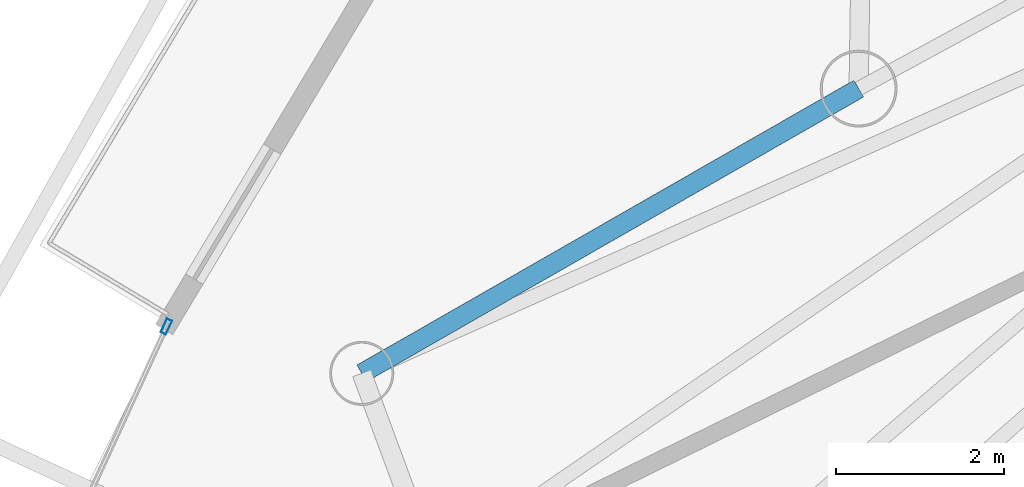
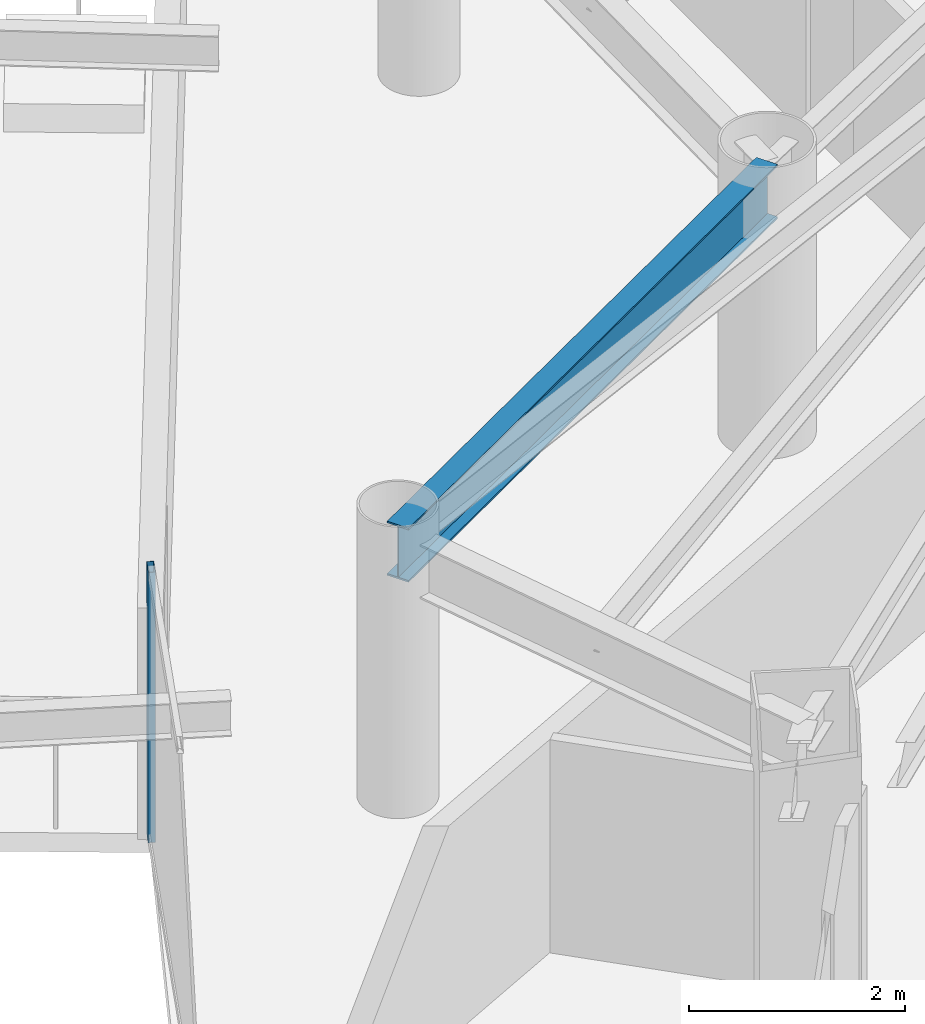
# One storey, part 10 of 35: 1 beam, 1 member, 1 element without a shape of its own.
"""IFC4 building model written with IfcOpenShell, lengths in metres."""

import ifcopenshell
import ifcopenshell.guid

model = None  # the IFC model being written
_history = None  # IfcOwnerHistory: only IFC2X3 demands one
_inside = {}  # id of a spatial element -> (the spatial element, [elements in it])
_under = {}  # id of a project, library or spatial element -> (it, [spatial elements below it])
_declared = {}  # id of a project -> (the project, [libraries it declares])
_typed = {}  # id of a type object -> (the type object, [elements of that type])
_made_of = {}  # id of a material, layer set ... -> (it, [elements and type objects made of it])


def new_model(schema):
    """Start an empty IFC model of exactly this schema.

    Asked for "IFC4X3", IfcOpenShell would pick the latest addendum, in which some entities
    have other attributes; the version numbers below select the first issue.
    IFC2X3 requires an IfcOwnerHistory on every rooted entity: one is made here for all.
    """
    global model, _history
    if schema == "IFC4X3":
        model = ifcopenshell.file(schema_version=(4, 3, 0, 0))
    else:
        model = ifcopenshell.file(schema=schema)
    _inside.clear()
    _under.clear()
    _declared.clear()
    _typed.clear()
    _made_of.clear()
    _history = None
    if model.schema == "IFC2X3":
        org = make("IfcOrganization", Name="unknown")
        user = make(
            "IfcPersonAndOrganization",
            ThePerson=make("IfcPerson", FamilyName="unknown"),
            TheOrganization=org,
        )
        app = make(
            "IfcApplication",
            ApplicationDeveloper=org,
            Version="unknown",
            ApplicationFullName="unknown",
            ApplicationIdentifier="unknown",
        )
        _history = make(
            "IfcOwnerHistory",
            OwningUser=user,
            OwningApplication=app,
            ChangeAction="ADDED",
            CreationDate=0,
        )
    return model


def make(cls, **values):
    """One entity of the class cls with the attributes given. An attribute that is None is left unset."""
    return model.create_entity(
        cls, **{name: value for name, value in values.items() if value is not None}
    )


def rooted(cls, **values):
    """An entity with a GlobalId (a new one), such as an element, a storey or a relation."""
    return make(cls, GlobalId=ifcopenshell.guid.new(), OwnerHistory=_history, **values)


def si_unit(unit_type, name, prefix=None):
    """IfcSIUnit, for example si_unit("LENGTHUNIT", "METRE", prefix="MILLI")."""
    return make("IfcSIUnit", UnitType=unit_type, Prefix=prefix, Name=name)


def assignment(units):
    """IfcUnitAssignment: the units of a project."""
    return None if units is None else make("IfcUnitAssignment", Units=units)


def point(xyz):
    """IfcCartesianPoint."""
    return None if xyz is None else make("IfcCartesianPoint", Coordinates=xyz)


def direction(xyz):
    """IfcDirection."""
    return None if xyz is None else make("IfcDirection", DirectionRatios=xyz)


def frame(location, z_axis=None, x_axis=None):
    """IfcAxis2Placement3D, a coordinate frame: its origin and axes. An axis left out is left unset."""
    return make(
        "IfcAxis2Placement3D",
        Location=point(location),
        Axis=direction(z_axis),
        RefDirection=direction(x_axis),
    )


def frame_2d(location, x_axis=None):
    """IfcAxis2Placement2D, a coordinate frame in the plane: its origin and x axis."""
    return make(
        "IfcAxis2Placement2D", Location=point(location), RefDirection=direction(x_axis)
    )


def origin():
    """The frame at (0, 0, 0) with its axes left unset."""
    return frame((0.0, 0.0, 0.0))


def origin_2d():
    """The frame at (0, 0) in the plane with its x axis left unset."""
    return frame_2d((0.0, 0.0))


def place(relative_to, where):
    """IfcLocalPlacement: puts the frame where relative to a parent placement (None: the world)."""
    return make(
        "IfcLocalPlacement", PlacementRelTo=relative_to, RelativePlacement=where
    )


def context(
    kind, dimensions, precision=None, world=None, true_north=None, identifier=None
):
    """IfcGeometricRepresentationContext, for example the 3D "Model" context."""
    return make(
        "IfcGeometricRepresentationContext",
        ContextIdentifier=identifier,
        ContextType=kind,
        CoordinateSpaceDimension=dimensions,
        Precision=precision,
        WorldCoordinateSystem=world,
        TrueNorth=true_north,
    )


def subcontext(parent, identifier, kind, view, scale=None):
    """IfcGeometricRepresentationSubContext, for example "Body" below "Model"."""
    return make(
        "IfcGeometricRepresentationSubContext",
        ContextIdentifier=identifier,
        ContextType=kind,
        ParentContext=parent,
        TargetScale=scale,
        TargetView=view,
    )


def project(units=None, contexts=None):
    """IfcProject with its units and contexts."""
    return rooted(
        "IfcProject",
        Name="project",
        RepresentationContexts=contexts,
        UnitsInContext=assignment(units),
    )


def spatial(cls, under=None, at=None, **own):
    """A site, building, storey or space (cls), placed at a placement, below another one or the project."""
    s = rooted(cls, ObjectPlacement=at, **own)
    if under is not None:
        _under.setdefault(under.id(), (under, []))[1].append(s)
    return s


def profile(cls, at=None, kind="AREA", **sizes):
    """A parametric profile (cls). Its sizes go by their IFC names, for example OverallWidth=200.0."""
    return make(cls, ProfileType=kind, Position=at, **sizes)


def hollow_rectangle(**sizes):
    """IfcRectangleHollowProfileDef."""
    return profile("IfcRectangleHollowProfileDef", **sizes)


def i_section(**sizes):
    """IfcIShapeProfileDef."""
    return profile("IfcIShapeProfileDef", **sizes)


def extrude(swept, where, along, depth):
    """IfcExtrudedAreaSolid: the profile swept, set in the frame where, extruded along a direction by depth."""
    return make(
        "IfcExtrudedAreaSolid",
        SweptArea=swept,
        Position=where,
        ExtrudedDirection=direction(along),
        Depth=depth,
    )


def shape(context_of_items, identifier, shape_type, items):
    """IfcShapeRepresentation: the items that make up one representation, for example the "Body"."""
    return make(
        "IfcShapeRepresentation",
        ContextOfItems=context_of_items,
        RepresentationIdentifier=identifier,
        RepresentationType=shape_type,
        Items=items,
    )


def material(Name=None, Category=None):
    """IfcMaterial."""
    return make("IfcMaterial", Name=Name, Category=Category)


def layer(
    of_material, thickness, ventilated=None, Name=None, Category=None, Priority=None
):
    """IfcMaterialLayer: one layer of a wall or slab, of a material (None: an air gap)."""
    return make(
        "IfcMaterialLayer",
        Material=of_material,
        LayerThickness=thickness,
        IsVentilated=ventilated,
        Name=Name,
        Category=Category,
        Priority=Priority,
    )


def layer_set(layers, Name=None):
    """IfcMaterialLayerSet."""
    return make("IfcMaterialLayerSet", MaterialLayers=layers, LayerSetName=Name)


def material_profile(
    of_material, cross_section, Name=None, Category=None, Priority=None
):
    """IfcMaterialProfile: a cross section and its material."""
    return make(
        "IfcMaterialProfile",
        Name=Name,
        Material=of_material,
        Profile=cross_section,
        Priority=Priority,
        Category=Category,
    )


def profile_set(profiles, Name=None, composite=None):
    """IfcMaterialProfileSet."""
    return make(
        "IfcMaterialProfileSet",
        Name=Name,
        MaterialProfiles=profiles,
        CompositeProfile=composite,
    )


def made_of(thing, what):
    """Note that an element or type object is made of a material, layer set ...; save() writes the relation."""
    if what is not None:
        _made_of.setdefault(what.id(), (what, []))[1].append(thing)
    return thing


def type_object(cls, material=None, **own):
    """A type object (cls), such as IfcWallType, which elements share."""
    return made_of(rooted(cls, **own), material)


def element(
    cls,
    number,
    at=None,
    inside=None,
    cuts=None,
    type_object=None,
    material=None,
    context=None,
    identifier="Body",
    shape_type=None,
    held_by="IfcProductDefinitionShape",
    body=None,
    shapes=None,
    **own,
):
    """One element of the class cls, such as IfcWall. Its Tag is "e" and its number.

    at: its placement. inside: the storey or other place that contains it. cuts: it is an
    opening in that element (IfcRelVoidsElement). A single representation is given by context,
    identifier, shape_type and body (its items); several are given by shapes. held_by: the class
    of the entity that holds the representations. save() writes the other relations.
    """
    e = rooted(cls, Tag="e%d" % number, ObjectPlacement=at, **own)
    if body is not None:
        shapes = [shape(context, identifier, shape_type, body)]
    if shapes is not None:
        e.Representation = make(held_by, Representations=shapes)
    if inside is not None:
        _inside.setdefault(inside.id(), (inside, []))[1].append(e)
    if cuts is not None:
        rooted(
            "IfcRelVoidsElement", RelatingBuildingElement=cuts, RelatedOpeningElement=e
        )
    if type_object is not None:
        _typed.setdefault(type_object.id(), (type_object, []))[1].append(e)
    return made_of(e, material)


def aggregate(whole, parts):
    """IfcRelAggregates: a whole, such as a stair, and the parts it consists of."""
    return rooted("IfcRelAggregates", RelatingObject=whole, RelatedObjects=parts)


def save(model, path):
    """Write the relations noted so far, then the file.

    IfcRelAggregates (storeys below a building ...), IfcRelContainedInSpatialStructure (elements
    in a storey), IfcRelDefinesByType, IfcRelAssociatesMaterial and IfcRelDeclares: one each for
    every whole, place, type object, material and project.
    """
    for whole, parts in _under.values():
        aggregate(whole, parts)
    for where, things in _inside.values():
        rooted(
            "IfcRelContainedInSpatialStructure",
            RelatedElements=things,
            RelatingStructure=where,
        )
    for kind, things in _typed.values():
        rooted("IfcRelDefinesByType", RelatedObjects=things, RelatingType=kind)
    for what, things in _made_of.values():
        rooted("IfcRelAssociatesMaterial", RelatedObjects=things, RelatingMaterial=what)
    for by, libraries in _declared.values():
        rooted("IfcRelDeclares", RelatingContext=by, RelatedDefinitions=libraries)
    model.write(path)


model = new_model("IFC4")

# Units and contexts
model_context = context("Model", 3, precision=1e-05, world=origin(), true_north=direction((0.0, 1.0)))
body_context = subcontext(model_context, "Body", "Model", "MODEL_VIEW")
ifc_project = project(units=[si_unit("LENGTHUNIT", "METRE"), si_unit("AREAUNIT", "SQUARE_METRE"), si_unit("VOLUMEUNIT", "CUBIC_METRE"), si_unit("PLANEANGLEUNIT", "RADIAN"), si_unit("MASSUNIT", "GRAM", prefix="KILO")], contexts=[model_context])

# Site, building, storey
site_placement = place(None, origin())
site = spatial("IfcSite", under=ifc_project, at=site_placement, CompositionType="ELEMENT")
building_placement = place(site_placement, origin())
building = spatial("IfcBuilding", under=site, at=building_placement, Name="Orvanel Arch Residences", CompositionType="ELEMENT")
storey_placement = place(building_placement, frame((0.0, 0.0, 40.10009765625)))
storey = spatial("IfcBuildingStorey", under=building, at=storey_placement, Name="L10", CompositionType="ELEMENT", Elevation=40.10009765625)

# Curtain wall, member
ifc_material_1 = material(Name="Bronze-anodised aluminium AA6063-T6", Category="aluminium")
ifc_layer = layer(ifc_material_1, 0.179931640625)
ifc_layer_set = layer_set([ifc_layer], Name="Bronze-anodised aluminium AA6063-T6")
curtain_wall_type = type_object("IfcCurtainWallType", Name="CW2-LOW-SYS", PredefinedType="NOTDEFINED", material=ifc_layer_set)
curtain_wall_placement = place(storey_placement, origin())
curtain_wall = element("IfcCurtainWall", 1, at=curtain_wall_placement, inside=storey, type_object=curtain_wall_type, Name="L10 CW2-LOW-SYS Unitised Curtain Wall", PredefinedType="NOTDEFINED")
ifc_material_profile_1 = material_profile(ifc_material_1, hollow_rectangle(XDim=0.070068359375, YDim=0.179931640625, WallThickness=0.00439453125, at=origin_2d()), Name="ALU180x70x4.5")
ifc_profile_set_1 = profile_set([ifc_material_profile_1], Name="Bronze-anodised aluminium AA6063-T6")
member_type = type_object("IfcMemberType", Name="MUL-180x70", PredefinedType="MULLION", material=ifc_profile_set_1)
member_placement = place(storey_placement, frame((12.33935546875, 24.812255859375, 0.0), z_axis=(0.0, 0.0, 1.0), x_axis=(0.909118333197, -0.416537940944, 0.0)))
member = element("IfcMember", 2, at=member_placement, type_object=member_type, Name="CW-S2 mullion 1", PredefinedType="MULLION", context=body_context, shape_type="SweptSolid", body=[
    extrude(hollow_rectangle(XDim=0.070068359375, YDim=0.179931640625, WallThickness=0.00439453125, at=origin_2d()), origin(), (0.0, 0.0, 1.0), 3.059814453125),
])
aggregate(curtain_wall, [member])

# Beam
ifc_material_2 = material(Name="Structural steel AS/NZS 3679.1 Grade 300 (300 MPa)", Category="steel")
ifc_material_profile_2 = material_profile(ifc_material_2, i_section(OverallWidth=0.22900390625, OverallDepth=0.612060546875, WebThickness=0.011962890625, FlangeThickness=0.01953125, at=origin_2d()), Name="610UB125")
ifc_profile_set_2 = profile_set([ifc_material_profile_2], Name="Structural steel AS/NZS 3679.1 Grade 300 (300 MPa)")
beam_type = type_object("IfcBeamType", Name="SP-610UB", PredefinedType="SPANDREL", material=ifc_profile_set_2)
beam_placement = place(storey_placement, frame((20.569091796875, 27.64111328125, 2.75390625), z_axis=(-0.867635629025, -0.497200578485, 0.0), x_axis=(0.497200578485, -0.867635629025, 0.0)))
element("IfcBeam", 3, at=beam_placement, inside=storey, type_object=beam_type, Name="L10 Perimeter Spandrel Beam 21", PredefinedType="SPANDREL", context=body_context, shape_type="SweptSolid", body=[
    extrude(i_section(OverallWidth=0.22900390625, OverallDepth=0.612060546875, WebThickness=0.011962890625, FlangeThickness=0.01953125, at=origin_2d()), origin(), (0.0, 0.0, 1.0), 6.80810546875),
])

save(model, "model.ifc")
